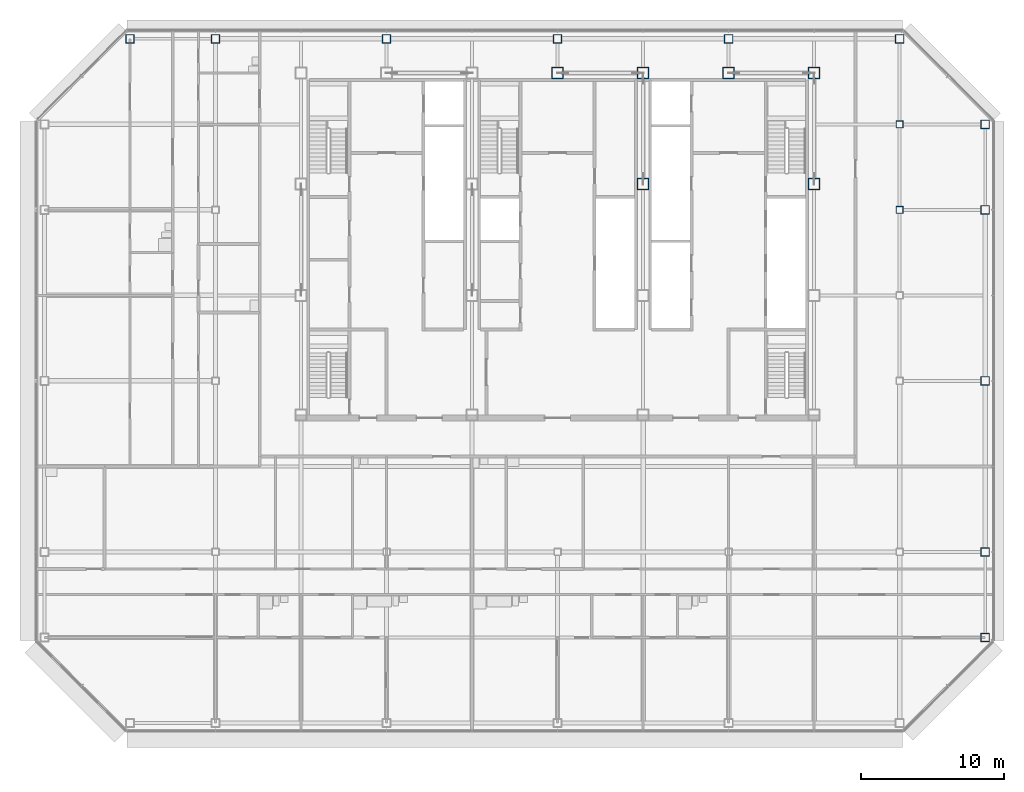
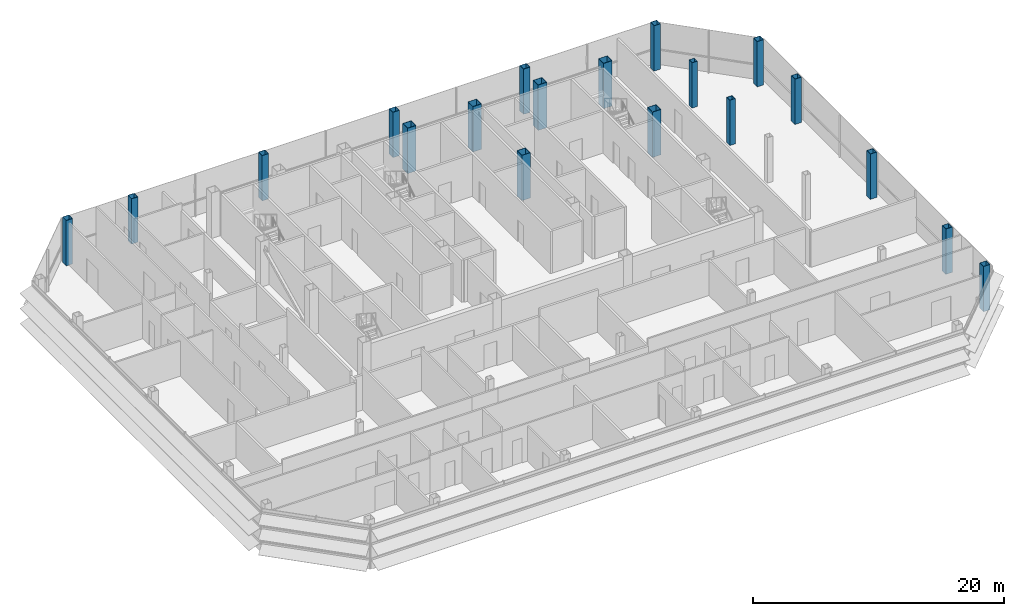
# One storey, part 2 of 29: 19 columns.
"""IFC4 building model written with IfcOpenShell, lengths in metres."""

from ifc_helpers import new_model, si_unit, direction, frame, origin, origin_2d, place, context, subcontext, project, spatial, hollow_rectangle, extrude, material, material_profile, profile_set, type_object, element, save


model = new_model("IFC4")

# Units and contexts
model_context = context("Model", 3, precision=1e-05, world=origin(), true_north=direction((0.0, 1.0)))
body_context = subcontext(model_context, "Body", "Model", "MODEL_VIEW")
ifc_project = project(units=[si_unit("LENGTHUNIT", "METRE"), si_unit("AREAUNIT", "SQUARE_METRE"), si_unit("VOLUMEUNIT", "CUBIC_METRE"), si_unit("PLANEANGLEUNIT", "RADIAN"), si_unit("MASSUNIT", "GRAM", prefix="KILO")], contexts=[model_context])

# Site, building, storey
site_placement = place(None, origin())
site = spatial("IfcSite", under=ifc_project, at=site_placement, CompositionType="ELEMENT")
building_placement = place(site_placement, origin())
building = spatial("IfcBuilding", under=site, at=building_placement, Name="Sorahane Residences", CompositionType="ELEMENT")
storey_placement = place(building_placement, frame((0.0, 0.0, 277.39990234375)))
storey = spatial("IfcBuildingStorey", under=building, at=storey_placement, Name="L66", CompositionType="ELEMENT", Elevation=277.39990234375)

# Columns
ifc_material_1 = material(Name="Steel Q355B", Category="steel")
ifc_material_profile_1 = material_profile(ifc_material_1, hollow_rectangle(XDim=0.5, YDim=0.5, WallThickness=0.02490234375, at=origin_2d()), Name="BOX 500x500x25")
ifc_profile_set_1 = profile_set([ifc_material_profile_1], Name="Steel Q355B")
column_type_1 = type_object("IfcColumnType", Name="Steel box column BOX 500x500x25 Q355B", PredefinedType="COLUMN", material=ifc_profile_set_1)
for number, where, z_axis, x_axis, name in (
    (1, (48.0, 36.0, 0.0), (0.0, 0.0, 1.0), (1.0, 0.0, 0.0), "Column L66 48/36"),
    (2, (48.0, 42.0, 0.0), (0.0, 0.0, 1.0), (1.0, 0.0, 0.0), "Column L66 48/42"),
):
    element("IfcColumn", number, at=place(storey_placement, frame(where, z_axis=z_axis, x_axis=x_axis)), inside=storey, type_object=column_type_1, Name=name, PredefinedType="COLUMN", context=body_context, shape_type="SweptSolid", body=[
        extrude(hollow_rectangle(XDim=0.5, YDim=0.5, WallThickness=0.02490234375, at=origin_2d()), origin(), (0.0, 0.0, 1.0), 4.400146484375),
    ])
ifc_material_2 = material(Name="Steel Q355B", Category="steel")
ifc_material_profile_2 = material_profile(ifc_material_2, hollow_rectangle(XDim=0.60009765625, YDim=0.60009765625, WallThickness=0.028076171875, at=origin_2d()), Name="BOX 600x600x28")
ifc_profile_set_2 = profile_set([ifc_material_profile_2], Name="Steel Q355B")
column_type_2 = type_object("IfcColumnType", Name="Steel box column BOX 600x600x28 Q355B", PredefinedType="COLUMN", material=ifc_profile_set_2)
for number, where, z_axis, x_axis, name in (
    (3, (-6.0, 48.0, 0.0), (0.0, 0.0, 1.0), (1.0, 0.0, 0.0), "Column L66 m6/48"),
    (4, (0.0, 48.0, 0.0), (0.0, 0.0, 1.0), (1.0, 0.0, 0.0), "Column L66 0/48"),
    (5, (12.0, 48.0, 0.0), (0.0, 0.0, 1.0), (1.0, 0.0, 0.0), "Column L66 12/48"),
    (6, (24.0, 48.0, 0.0), (0.0, 0.0, 1.0), (1.0, 0.0, 0.0), "Column L66 24/48"),
    (7, (36.0, 48.0, 0.0), (0.0, 0.0, 1.0), (1.0, 0.0, 0.0), "Column L66 36/48"),
    (8, (48.0, 48.0, 0.0), (0.0, 0.0, 1.0), (1.0, 0.0, 0.0), "Column L66 48/48"),
    (9, (54.0, 6.0, 0.0), (0.0, 0.0, 1.0), (1.0, 0.0, 0.0), "Column L66 54/6"),
    (10, (54.0, 12.0, 0.0), (0.0, 0.0, 1.0), (1.0, 0.0, 0.0), "Column L66 54/12"),
    (11, (54.0, 24.0, 0.0), (0.0, 0.0, 1.0), (1.0, 0.0, 0.0), "Column L66 54/24"),
    (12, (54.0, 36.0, 0.0), (0.0, 0.0, 1.0), (1.0, 0.0, 0.0), "Column L66 54/36"),
    (13, (54.0, 42.0, 0.0), (0.0, 0.0, 1.0), (1.0, 0.0, 0.0), "Column L66 54/42"),
):
    element("IfcColumn", number, at=place(storey_placement, frame(where, z_axis=z_axis, x_axis=x_axis)), inside=storey, type_object=column_type_2, Name=name, PredefinedType="COLUMN", context=body_context, shape_type="SweptSolid", body=[
        extrude(hollow_rectangle(XDim=0.60009765625, YDim=0.60009765625, WallThickness=0.028076171875, at=origin_2d()), origin(), (0.0, 0.0, 1.0), 4.400146484375),
    ])
ifc_material_3 = material(Name="Steel Q355B", Category="steel")
ifc_material_profile_3 = material_profile(ifc_material_3, hollow_rectangle(XDim=0.800048828125, YDim=0.800048828125, WallThickness=0.031982421875, at=origin_2d()), Name="BOX 800x800x32")
ifc_profile_set_3 = profile_set([ifc_material_profile_3], Name="Steel Q355B")
column_type_3 = type_object("IfcColumnType", Name="Steel box column BOX 800x800x32 Q355B", PredefinedType="COLUMN", material=ifc_profile_set_3)
for number, where, z_axis, x_axis, name in (
    (14, (24.0, 45.60009765625, 0.0), (0.0, 0.0, 1.0), (1.0, 0.0, 0.0), "Column L66 24/45.6"),
    (15, (30.0, 37.800048828125, 0.0), (0.0, 0.0, 1.0), (1.0, 0.0, 0.0), "Column L66 30/37.8"),
    (16, (30.0, 45.60009765625, 0.0), (0.0, 0.0, 1.0), (1.0, 0.0, 0.0), "Column L66 30/45.6"),
    (17, (36.0, 45.60009765625, 0.0), (0.0, 0.0, 1.0), (1.0, 0.0, 0.0), "Column L66 36/45.6"),
    (18, (42.0, 37.800048828125, 0.0), (0.0, 0.0, 1.0), (1.0, 0.0, 0.0), "Column L66 42/37.8"),
    (19, (42.0, 45.60009765625, 0.0), (0.0, 0.0, 1.0), (1.0, 0.0, 0.0), "Column L66 42/45.6"),
):
    element("IfcColumn", number, at=place(storey_placement, frame(where, z_axis=z_axis, x_axis=x_axis)), inside=storey, type_object=column_type_3, Name=name, PredefinedType="COLUMN", context=body_context, shape_type="SweptSolid", body=[
        extrude(hollow_rectangle(XDim=0.800048828125, YDim=0.800048828125, WallThickness=0.031982421875, at=origin_2d()), origin(), (0.0, 0.0, 1.0), 4.400146484375),
    ])

save(model, "model.ifc")
